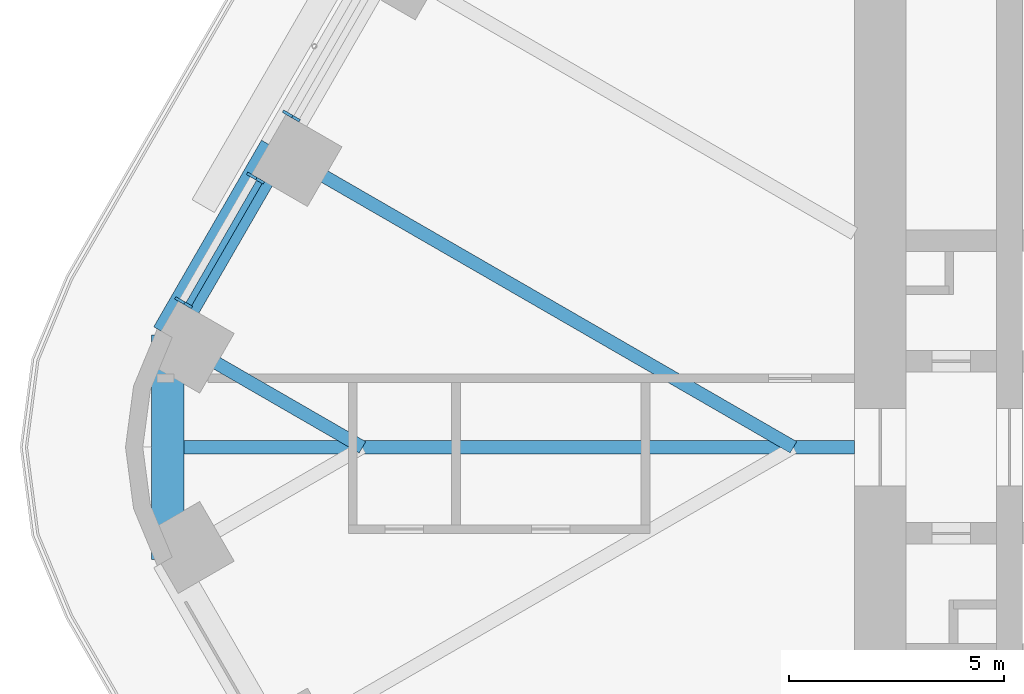
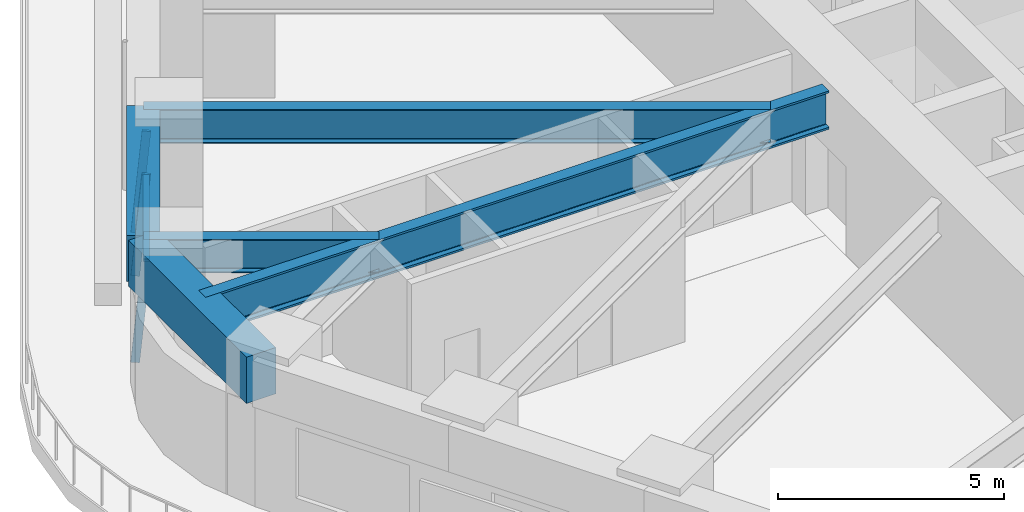
# One storey, part 6 of 24: 5 beams, 4 members, 2 elements without a shape of their own.
"""IFC4 building model written with IfcOpenShell, lengths in metres."""

from ifc_helpers import new_model, si_unit, direction, frame, origin, origin_2d, place, context, subcontext, project, spatial, rectangle, i_section, extrude, material, material_profile, profile_set, type_object, element, aggregate, save


model = new_model("IFC4")

# Units and contexts
model_context = context("Model", 3, precision=1e-05, world=origin(), true_north=direction((0.0, 1.0)))
body_context = subcontext(model_context, "Body", "Model", "MODEL_VIEW")
ifc_project = project(units=[si_unit("LENGTHUNIT", "METRE"), si_unit("AREAUNIT", "SQUARE_METRE"), si_unit("VOLUMEUNIT", "CUBIC_METRE"), si_unit("PLANEANGLEUNIT", "RADIAN"), si_unit("MASSUNIT", "GRAM", prefix="KILO")], contexts=[model_context])

# Site, building, storey
site_placement = place(None, origin())
site = spatial("IfcSite", under=ifc_project, at=site_placement, CompositionType="ELEMENT")
building_placement = place(site_placement, origin())
building = spatial("IfcBuilding", under=site, at=building_placement, Name="Tarfa Lantern Tower", CompositionType="ELEMENT")
storey_placement = place(building_placement, frame((0.0, 0.0, 148.89990234375)))
storey = spatial("IfcBuildingStorey", under=building, at=storey_placement, Name="L33", CompositionType="ELEMENT", Elevation=148.89990234375)

# Curtain wall, member
ifc_material_1 = material(Name="Aluminium framed curtain wall", Category="aluminium")
curtain_wall_type = type_object("IfcCurtainWallType", Name="CW2 CANTED GLAZING MID ZONE 2750", PredefinedType="USERDEFINED", material=ifc_material_1)
curtain_wall_1_placement = place(storey_placement, origin())
curtain_wall_1 = element("IfcCurtainWall", 1, at=curtain_wall_1_placement, inside=storey, type_object=curtain_wall_type, Name="CW2 NWB L33", ObjectType="CURTAIN WALL", PredefinedType="USERDEFINED")
ifc_material_2 = material(Name="Aluminium mullion", Category="aluminium")
ifc_material_profile_1 = material_profile(ifc_material_2, rectangle(XDim=0.06494140625, YDim=0.199951171875, at=origin_2d()), Name="AL MULLION 65x200")
ifc_profile_set_1 = profile_set([ifc_material_profile_1], Name="Aluminium mullion")
member_type_1 = type_object("IfcMemberType", Name="CWM1 MULLION 65x200", PredefinedType="MULLION", material=ifc_profile_set_1)
member_1_placement = place(storey_placement, frame((-31.78076171875, 7.75439453125, 0.0), z_axis=(0.078422950161, -0.045267813396, 0.995891894715), x_axis=(0.499919672301, 0.866071776036, 0.0)))
member_1 = element("IfcMember", 2, at=member_1_placement, type_object=member_type_1, Name="CW2 mullion 2", PredefinedType="MULLION", context=body_context, shape_type="SweptSolid", body=[
    extrude(rectangle(XDim=0.06494140625, YDim=0.199951171875, at=origin_2d()), origin(), (0.0, 0.0, 1.0), 2.76123046875),
])
aggregate(curtain_wall_1, [member_1])

# Curtain wall, members
curtain_wall_2_placement = place(storey_placement, origin())
curtain_wall_2 = element("IfcCurtainWall", 3, at=curtain_wall_2_placement, inside=storey, type_object=curtain_wall_type, Name="CW2 NWB L33", ObjectType="CURTAIN WALL", PredefinedType="USERDEFINED")
member_2_placement = place(storey_placement, frame((-32.613037109375, 6.312255859375, 0.0), z_axis=(0.078335079308, -0.045268127094, 0.995898796073), x_axis=(0.500342721131, 0.865827443207, 0.0)))
member_2 = element("IfcMember", 4, at=member_2_placement, type_object=member_type_1, Name="CW2 mullion 1", PredefinedType="MULLION", context=body_context, shape_type="SweptSolid", body=[
    extrude(rectangle(XDim=0.06494140625, YDim=0.199951171875, at=origin_2d()), origin(), (0.0, 0.0, 1.0), 2.76123046875),
])
member_3_placement = place(storey_placement, frame((-34.282470703125, 3.4208984375, 0.0), z_axis=(0.078422950161, -0.045267813396, 0.995891894715), x_axis=(0.499919672301, 0.866071776036, 0.0)))
member_3 = element("IfcMember", 5, at=member_3_placement, type_object=member_type_1, Name="CW2 mullion 2", PredefinedType="MULLION", context=body_context, shape_type="SweptSolid", body=[
    extrude(rectangle(XDim=0.06494140625, YDim=0.199951171875, at=origin_2d()), origin(), (0.0, 0.0, 1.0), 2.76123046875),
])
ifc_material_3 = material(Name="Aluminium transom", Category="aluminium")
ifc_material_profile_2 = material_profile(ifc_material_3, rectangle(XDim=0.14990234375, YDim=0.06494140625, at=origin_2d()), Name="AL TRANSOM 150x65")
ifc_profile_set_2 = profile_set([ifc_material_profile_2], Name="Aluminium transom")
member_type_2 = type_object("IfcMemberType", Name="CWT1 TRANSOM 150x65", PredefinedType="USERDEFINED", material=ifc_profile_set_2)
member_4_placement = place(storey_placement, frame((-32.41552734375, 6.16064453125, 2.717529296875), z_axis=(-0.499989298045, -0.866031582473, 0.0), x_axis=(0.866031582473, -0.499989298045, 0.0)))
member_4 = element("IfcMember", 6, at=member_4_placement, type_object=member_type_2, Name="CW2 transom 1.2", ObjectType="TRANSOM", PredefinedType="USERDEFINED", context=body_context, shape_type="SweptSolid", body=[
    extrude(rectangle(XDim=0.14990234375, YDim=0.06494140625, at=origin_2d()), origin(), (0.0, 0.0, 1.0), 3.2734375),
])
aggregate(curtain_wall_2, [member_2, member_3, member_4])

# Beams
ifc_material_4 = material(Name="Concrete C80/95", Category="concrete")
ifc_material_profile_3 = material_profile(ifc_material_4, rectangle(XDim=0.75, YDim=1.25, at=origin_2d()), Name="RC 750x1250")
ifc_profile_set_3 = profile_set([ifc_material_profile_3], Name="Concrete C80/95")
beam_type_1 = type_object("IfcBeamType", Name="EB2 RC 750x1250", PredefinedType="SPANDREL", material=ifc_profile_set_3)
beam_1_placement = place(storey_placement, frame((-32.041015625, 6.943359375, 3.375), z_axis=(-0.500022324899, -0.866012514114, 0.0), x_axis=(0.866012514114, -0.500022324899, 0.0)))
element("IfcBeam", 7, at=beam_1_placement, inside=storey, type_object=beam_type_1, Name="Edge beam NW5", PredefinedType="SPANDREL", context=body_context, shape_type="SweptSolid", body=[
    extrude(rectangle(XDim=0.75, YDim=1.25, at=origin_2d()), origin(), (0.0, 0.0, 1.0), 5.003662109375),
])
beam_2_placement = place(storey_placement, frame((-34.54296875, 2.610107421875, 3.375), z_axis=(0.0, -1.0, 0.0), x_axis=(1.0, 0.0, 0.0)))
element("IfcBeam", 8, at=beam_2_placement, inside=storey, type_object=beam_type_1, Name="Edge beam NW6", PredefinedType="SPANDREL", context=body_context, shape_type="SweptSolid", body=[
    extrude(rectangle(XDim=0.75, YDim=1.25, at=origin_2d()), origin(), (0.0, 0.0, 1.0), 5.22021484375),
])
ifc_material_5 = material(Name="Steel S460M", Category="steel")
ifc_material_profile_4 = material_profile(ifc_material_5, i_section(OverallWidth=0.30859375, OverallDepth=1.036376953125, WebThickness=0.030029296875, FlangeThickness=0.05419921875, FilletRadius=0.030029296875, at=origin_2d()), Name="UB1016x305x487")
ifc_profile_set_4 = profile_set([ifc_material_profile_4], Name="Steel S460M")
beam_type_2 = type_object("IfcBeamType", Name="UB1016x305x487", PredefinedType="BEAM", material=ifc_profile_set_4)
beam_3_placement = place(storey_placement, frame((-18.60009765625, 0.0, 3.48193359375), z_axis=(-1.0, 0.0, 0.0), x_axis=(0.0, -1.0, 0.0)))
element("IfcBeam", 9, at=beam_3_placement, inside=storey, type_object=beam_type_2, Name="Hip girder W", PredefinedType="BEAM", context=body_context, shape_type="SweptSolid", body=[
    extrude(i_section(OverallWidth=0.30859375, OverallDepth=1.036376953125, WebThickness=0.030029296875, FlangeThickness=0.05419921875, FilletRadius=0.030029296875, at=origin_2d()), origin(), (0.0, 0.0, 1.0), 15.94287109375),
])
ifc_material_profile_5 = material_profile(ifc_material_5, i_section(OverallWidth=0.305419921875, OverallDepth=0.91845703125, WebThickness=0.017333984375, FlangeThickness=0.02783203125, FilletRadius=0.01904296875, at=origin_2d()), Name="UB914x305x253")
ifc_profile_set_5 = profile_set([ifc_material_profile_5], Name="Steel S460M")
beam_type_3 = type_object("IfcBeamType", Name="UB914x305x253", PredefinedType="BEAM", material=ifc_profile_set_5)
beam_4_placement = place(storey_placement, frame((-32.041015625, 6.943359375, 3.541015625), z_axis=(0.866023096411, -0.500003996466, 0.0), x_axis=(0.500003996466, 0.866023096411, 0.0)))
element("IfcBeam", 10, at=beam_4_placement, inside=storey, type_object=beam_type_3, Name="Floor beam NW5", PredefinedType="BEAM", context=body_context, shape_type="SweptSolid", body=[
    extrude(i_section(OverallWidth=0.305419921875, OverallDepth=0.91845703125, WebThickness=0.017333984375, FlangeThickness=0.02783203125, FilletRadius=0.01904296875, at=origin_2d()), origin(), (0.0, 0.0, 1.0), 13.88671875),
])
beam_5_placement = place(storey_placement, frame((-34.54296875, 2.610107421875, 3.541015625), z_axis=(0.866021250859, -0.500007193008, 0.0), x_axis=(0.500007193008, 0.866021250859, 0.0)))
element("IfcBeam", 11, at=beam_5_placement, inside=storey, type_object=beam_type_3, Name="Floor beam NW6", PredefinedType="BEAM", context=body_context, shape_type="SweptSolid", body=[
    extrude(i_section(OverallWidth=0.305419921875, OverallDepth=0.91845703125, WebThickness=0.017333984375, FlangeThickness=0.02783203125, FilletRadius=0.01904296875, at=origin_2d()), origin(), (0.0, 0.0, 1.0), 5.22021484375),
])

save(model, "model.ifc")
